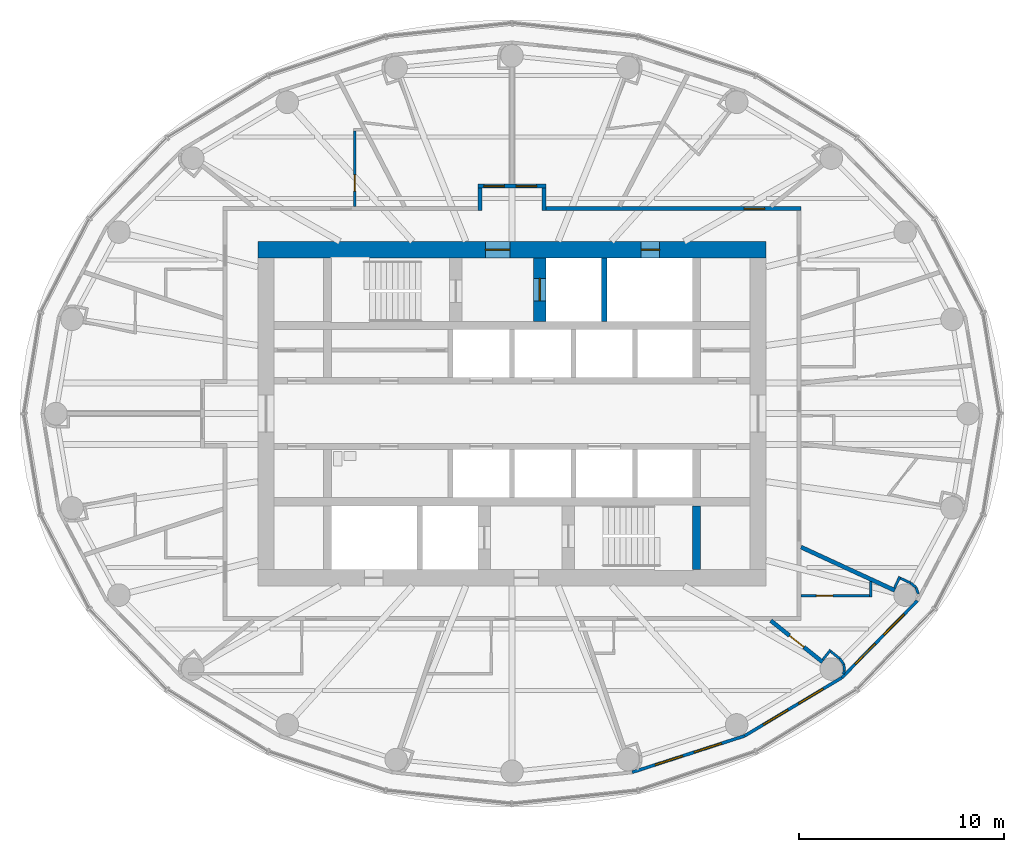
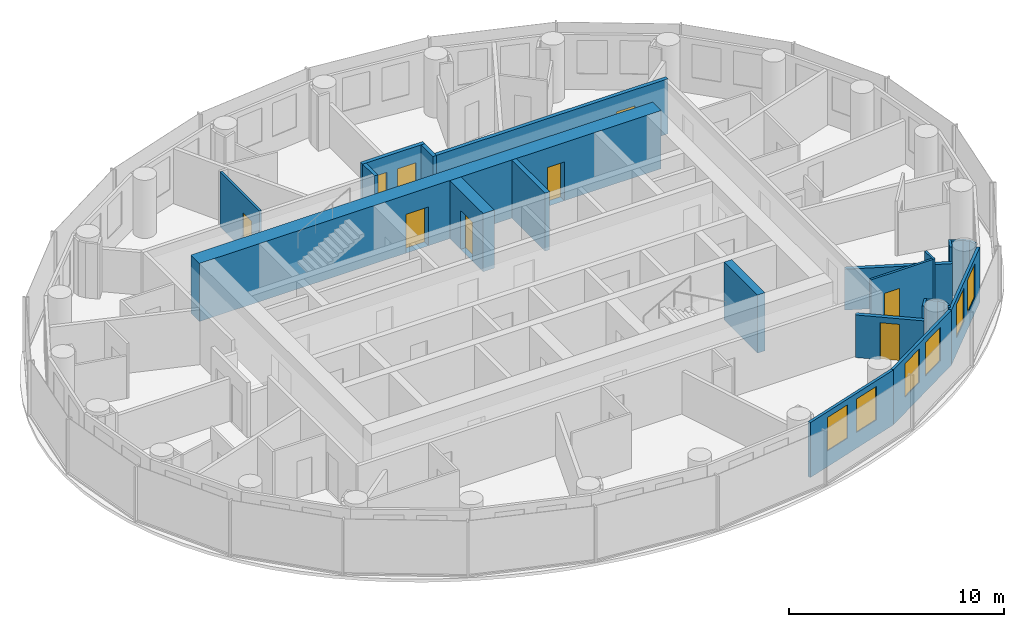
# One storey, part 10 of 16: 25 walls, 9 doors, 6 windows, 15 openings.
"""IFC4 building model written with IfcOpenShell, lengths in metres."""

from ifc_helpers import new_model, si_unit, direction, frame, frame_2d, origin, place, context, subcontext, project, spatial, rectangle, extrude, material, layer, layer_set, type_object, element, fill, save


model = new_model("IFC4")

# Units and contexts
model_context = context("Model", 3, precision=1e-05, world=origin(), true_north=direction((0.0, 1.0)))
body_context = subcontext(model_context, "Body", "Model", "MODEL_VIEW")
ifc_project = project(units=[si_unit("LENGTHUNIT", "METRE"), si_unit("AREAUNIT", "SQUARE_METRE"), si_unit("VOLUMEUNIT", "CUBIC_METRE"), si_unit("PLANEANGLEUNIT", "RADIAN"), si_unit("MASSUNIT", "GRAM", prefix="KILO")], contexts=[model_context])

# Site, building, storey
site_placement = place(None, origin())
site = spatial("IfcSite", under=ifc_project, at=site_placement, CompositionType="ELEMENT")
building_placement = place(site_placement, origin())
building = spatial("IfcBuilding", under=site, at=building_placement, Name="Hankou Lantern Tower", CompositionType="ELEMENT")
storey_placement = place(building_placement, frame((0.0, 0.0, 166.5)))
storey = spatial("IfcBuildingStorey", under=building, at=storey_placement, Name="L44", CompositionType="ELEMENT", Elevation=166.5)

# Wall, openings, doors
ifc_material_1 = material(Name="Concrete C60", Category="concrete")
ifc_layer_1 = layer(ifc_material_1, 0.800048828125)
ifc_layer_set_1 = layer_set([ifc_layer_1], Name="Concrete C60")
wall_type_1 = type_object("IfcWallType", Name="CW2 CORE WALL 800", PredefinedType="SHEAR", material=ifc_layer_set_1)
wall_1_placement = place(storey_placement, frame((-12.39990234375, 8.0, 0.0), z_axis=(0.0, 0.0, 1.0), x_axis=(1.0, 0.0, 0.0)))
wall_1 = element("IfcWall", 1, at=wall_1_placement, inside=storey, type_object=wall_type_1, Name="Core wall north L44", PredefinedType="SHEAR", context=body_context, shape_type="SweptSolid", body=[
    extrude(rectangle(XDim=24.7998046875, YDim=0.800048828125, at=frame_2d((12.39990234375, 0.0))), origin(), (0.0, 0.0, 1.0), 3.300048828125),
])
opening_1_placement = place(wall_1_placement, frame((11.10009765625, 0.0, 0.0)))
opening_1 = element("IfcOpeningElement", 2, at=opening_1_placement, cuts=wall_1, Name="Opening D5", PredefinedType="OPENING", context=body_context, shape_type="SweptSolid", body=[
    extrude(rectangle(XDim=1.199951171875, YDim=2.199951171875, at=frame_2d((0.60009765625, 1.10009765625))), frame((0.0, 0.409912109375, 0.0), z_axis=(0.0, -1.0, 0.0), x_axis=(1.0, 0.0, 0.0)), (0.0, 0.0, 1.0), 0.820068359375),
])
opening_2_placement = place(wall_1_placement, frame((18.699951171875, 0.0, 0.0)))
opening_2 = element("IfcOpeningElement", 3, at=opening_2_placement, cuts=wall_1, Name="Opening D7", PredefinedType="OPENING", context=body_context, shape_type="SweptSolid", body=[
    extrude(rectangle(XDim=0.89990234375, YDim=2.199951171875, at=frame_2d((0.449951171875, 1.10009765625))), frame((0.0, 0.409912109375, 0.0), z_axis=(0.0, -1.0, 0.0), x_axis=(1.0, 0.0, 0.0)), (0.0, 0.0, 1.0), 0.820068359375),
])
ifc_material_2 = material(Name="Steel door leaf", Category="steel")
door_type_1 = type_object("IfcDoorType", Name="D5 STAIR LOBBY DOOR 1200X2200", OperationType="SINGLE_SWING_LEFT", PredefinedType="DOOR", material=ifc_material_2)
door_1_placement = place(opening_1_placement, origin())
door_1 = element("IfcDoor", 4, at=door_1_placement, inside=storey, type_object=door_type_1, Name="Stair A lobby door", OperationType="SINGLE_SWING_LEFT", OverallHeight=2.199951171875, OverallWidth=1.199951171875, PredefinedType="DOOR", context=body_context, shape_type="SweptSolid", body=[
    extrude(rectangle(XDim=1.199951171875, YDim=2.199951171875, at=frame_2d((0.60009765625, 1.10009765625))), frame((0.0, 0.02490234375, 0.0), z_axis=(0.0, -1.0, 0.0), x_axis=(1.0, 0.0, 0.0)), (0.0, 0.0, 1.0), 0.050048828125),
])
fill(opening_1, door_1)
ifc_material_3 = material(Name="Steel door leaf", Category="steel")
door_type_2 = type_object("IfcDoorType", Name="D7 RISER DOOR 900X2200", OperationType="SINGLE_SWING_LEFT", PredefinedType="DOOR", material=ifc_material_3)
door_2_placement = place(opening_2_placement, origin())
door_2 = element("IfcDoor", 5, at=door_2_placement, inside=storey, type_object=door_type_2, Name="Riser N1 door", OperationType="SINGLE_SWING_RIGHT", OverallHeight=2.199951171875, OverallWidth=0.89990234375, PredefinedType="DOOR", context=body_context, shape_type="SweptSolid", body=[
    extrude(rectangle(XDim=0.89990234375, YDim=2.199951171875, at=frame_2d((0.449951171875, 1.10009765625))), frame((0.0, 0.02490234375, 0.0), z_axis=(0.0, -1.0, 0.0), x_axis=(1.0, 0.0, 0.0)), (0.0, 0.0, 1.0), 0.050048828125),
])
fill(opening_2, door_2)

# Wall
ifc_material_4 = material(Name="Concrete C60", Category="concrete")
ifc_layer_2 = layer(ifc_material_4, 0.39990234375)
ifc_layer_set_2 = layer_set([ifc_layer_2], Name="Concrete C60")
wall_type_2 = type_object("IfcWallType", Name="CW4 CORE CROSS WALL 400", PredefinedType="SHEAR", material=ifc_layer_set_2)
wall_2_placement = place(storey_placement, frame((9.0, -7.60009765625, 0.0), z_axis=(0.0, 0.0, 1.0), x_axis=(0.0, 1.0, 0.0)))
element("IfcWall", 6, at=wall_2_placement, inside=storey, type_object=wall_type_2, Name="Core strip wall L44", PredefinedType="SHEAR", context=body_context, shape_type="SweptSolid", body=[
    extrude(rectangle(XDim=3.10009765625, YDim=0.39990234375, at=frame_2d((1.550048828125, 0.0))), origin(), (0.0, 0.0, 1.0), 3.300048828125),
])

# Wall, opening, door
ifc_material_5 = material(Name="Concrete C60", Category="concrete")
ifc_layer_3 = layer(ifc_material_5, 0.60009765625)
ifc_layer_set_3 = layer_set([ifc_layer_3], Name="Concrete C60")
wall_type_3 = type_object("IfcWallType", Name="CW6 STAIR AND SHAFT WALL 600", PredefinedType="SHEAR", material=ifc_layer_set_3)
wall_3_placement = place(storey_placement, frame((1.35009765625, 4.5, 0.0), z_axis=(0.0, 0.0, 1.0), x_axis=(0.0, 1.0, 0.0)))
wall_3 = element("IfcWall", 7, at=wall_3_placement, inside=storey, type_object=wall_type_3, Name="Firefighting lift shaft wall L44", PredefinedType="SHEAR", context=body_context, shape_type="SweptSolid", body=[
    extrude(rectangle(XDim=3.10009765625, YDim=0.60009765625, at=frame_2d((1.550048828125, 0.0))), origin(), (0.0, 0.0, 1.0), 3.300048828125),
])
opening_3_placement = place(wall_3_placement, frame((1.0, 0.0, 0.0)))
opening_3 = element("IfcOpeningElement", 8, at=opening_3_placement, cuts=wall_3, Name="Opening LD2", PredefinedType="OPENING", context=body_context, shape_type="SweptSolid", body=[
    extrude(rectangle(XDim=1.10009765625, YDim=2.199951171875, at=frame_2d((0.550048828125, 1.10009765625))), frame((0.0, 0.31005859375, 0.0), z_axis=(0.0, -1.0, 0.0), x_axis=(1.0, 0.0, 0.0)), (0.0, 0.0, 1.0), 0.6201171875),
])
ifc_material_6 = material(Name="Steel door leaf", Category="steel")
door_type_3 = type_object("IfcDoorType", Name="LD2 FIREFIGHTING LIFT LANDING DOOR 1100X2200", OperationType="DOUBLE_DOOR_SLIDING", PredefinedType="DOOR", material=ifc_material_6)
door_3_placement = place(opening_3_placement, origin())
door_3 = element("IfcDoor", 9, at=door_3_placement, inside=storey, type_object=door_type_3, Name="Firefighting lift FL1 landing door", OperationType="DOUBLE_DOOR_SLIDING", OverallHeight=2.199951171875, OverallWidth=1.10009765625, PredefinedType="DOOR", context=body_context, shape_type="SweptSolid", body=[
    extrude(rectangle(XDim=1.10009765625, YDim=2.199951171875, at=frame_2d((0.550048828125, 1.10009765625))), frame((0.0, 0.02490234375, 0.0), z_axis=(0.0, -1.0, 0.0), x_axis=(1.0, 0.0, 0.0)), (0.0, 0.0, 1.0), 0.050048828125),
])
fill(opening_3, door_3)

# Wall, openings, windows
ifc_material_7 = material(Name="Aluminium spandrel panel on steel studs", Category="steel")
ifc_layer_4 = layer(ifc_material_7, 0.14990234375)
ifc_layer_set_4 = layer_set([ifc_layer_4], Name="Aluminium spandrel panel on steel studs")
wall_type_4 = type_object("IfcWallType", Name="EW1 INNER SKIN WALL 150", PredefinedType="ELEMENTEDWALL", material=ifc_layer_set_4)
wall_4_placement = place(storey_placement, frame((5.8603515625, -17.497314453125, 0.0), z_axis=(0.0, 0.0, 1.0), x_axis=(0.951432482129, 0.307857486429, 0.0)))
wall_4 = element("IfcWall", 10, at=wall_4_placement, inside=storey, type_object=wall_type_4, Name="Inner skin R20-R21 L44", PredefinedType="ELEMENTEDWALL", context=body_context, shape_type="SweptSolid", body=[
    extrude(rectangle(XDim=5.76611328125, YDim=0.14990234375, at=frame_2d((2.883056640625, 0.0))), origin(), (0.0, 0.0, 1.0), 3.1201171875),
])
opening_4_placement = place(wall_4_placement, frame((1.18310546875, 0.0, 0.89990234375)))
opening_4 = element("IfcOpeningElement", 11, at=opening_4_placement, cuts=wall_4, Name="Opening W3", PredefinedType="OPENING", context=body_context, shape_type="SweptSolid", body=[
    extrude(rectangle(XDim=1.39990234375, YDim=1.89990234375, at=frame_2d((0.699951171875, 0.949951171875))), frame((0.0, 0.0849609375, 0.0), z_axis=(0.0, -1.0, 0.0), x_axis=(1.0, 0.0, 0.0)), (0.0, 0.0, 1.0), 0.169921875),
])
opening_5_placement = place(wall_4_placement, frame((3.18310546875, 0.0, 0.89990234375)))
opening_5 = element("IfcOpeningElement", 12, at=opening_5_placement, cuts=wall_4, Name="Opening W3", PredefinedType="OPENING", context=body_context, shape_type="SweptSolid", body=[
    extrude(rectangle(XDim=1.39990234375, YDim=1.89990234375, at=frame_2d((0.699951171875, 0.949951171875))), frame((0.0, 0.0849609375, 0.0), z_axis=(0.0, -1.0, 0.0), x_axis=(1.0, 0.0, 0.0)), (0.0, 0.0, 1.0), 0.169921875),
])
ifc_material_8 = material(Name="Aluminium framed double glazed window", Category="aluminium")
window_type = type_object("IfcWindowType", Name="W3 GUEST ROOM WINDOW 1400X1900", PartitioningType="DOUBLE_PANEL_VERTICAL", PredefinedType="WINDOW", material=ifc_material_8)
window_1_placement = place(opening_4_placement, origin())
window_1 = element("IfcWindow", 13, at=window_1_placement, inside=storey, type_object=window_type, Name="Window R20.1 L44", OverallHeight=1.89990234375, OverallWidth=1.39990234375, PartitioningType="SINGLE_PANEL", PredefinedType="WINDOW", context=body_context, shape_type="SweptSolid", body=[
    extrude(rectangle(XDim=1.39990234375, YDim=1.89990234375, at=frame_2d((0.699951171875, 0.949951171875))), frame((0.0, 0.030029296875, 0.0), z_axis=(0.0, -1.0, 0.0), x_axis=(1.0, 0.0, 0.0)), (0.0, 0.0, 1.0), 0.06005859375),
])
fill(opening_4, window_1)
window_2_placement = place(opening_5_placement, origin())
window_2 = element("IfcWindow", 14, at=window_2_placement, inside=storey, type_object=window_type, Name="Window R20.2 L44", OverallHeight=1.89990234375, OverallWidth=1.39990234375, PartitioningType="SINGLE_PANEL", PredefinedType="WINDOW", context=body_context, shape_type="SweptSolid", body=[
    extrude(rectangle(XDim=1.39990234375, YDim=1.89990234375, at=frame_2d((0.699951171875, 0.949951171875))), frame((0.0, 0.030029296875, 0.0), z_axis=(0.0, -1.0, 0.0), x_axis=(1.0, 0.0, 0.0)), (0.0, 0.0, 1.0), 0.06005859375),
])
fill(opening_5, window_2)

wall_5_placement = place(storey_placement, frame((11.346435546875, -15.72216796875, 0.0), z_axis=(0.0, 0.0, 1.0), x_axis=(0.857695199231, 0.514158482587, 0.0)))
wall_5 = element("IfcWall", 15, at=wall_5_placement, inside=storey, type_object=wall_type_4, Name="Inner skin R21-R22 L44", PredefinedType="ELEMENTEDWALL", context=body_context, shape_type="SweptSolid", body=[
    extrude(rectangle(XDim=5.5361328125, YDim=0.14990234375, at=frame_2d((2.76806640625, 0.0))), origin(), (0.0, 0.0, 1.0), 3.1201171875),
])
opening_6_placement = place(wall_5_placement, frame((1.068115234375, 0.0, 0.89990234375)))
opening_6 = element("IfcOpeningElement", 16, at=opening_6_placement, cuts=wall_5, Name="Opening W3", PredefinedType="OPENING", context=body_context, shape_type="SweptSolid", body=[
    extrude(rectangle(XDim=1.39990234375, YDim=1.89990234375, at=frame_2d((0.699951171875, 0.949951171875))), frame((0.0, 0.0849609375, 0.0), z_axis=(0.0, -1.0, 0.0), x_axis=(1.0, 0.0, 0.0)), (0.0, 0.0, 1.0), 0.169921875),
])
opening_7_placement = place(wall_5_placement, frame((3.068115234375, 0.0, 0.89990234375)))
opening_7 = element("IfcOpeningElement", 17, at=opening_7_placement, cuts=wall_5, Name="Opening W3", PredefinedType="OPENING", context=body_context, shape_type="SweptSolid", body=[
    extrude(rectangle(XDim=1.39990234375, YDim=1.89990234375, at=frame_2d((0.699951171875, 0.949951171875))), frame((0.0, 0.0849609375, 0.0), z_axis=(0.0, -1.0, 0.0), x_axis=(1.0, 0.0, 0.0)), (0.0, 0.0, 1.0), 0.169921875),
])
window_3_placement = place(opening_6_placement, origin())
window_3 = element("IfcWindow", 18, at=window_3_placement, inside=storey, type_object=window_type, Name="Window R21.1 L44", OverallHeight=1.89990234375, OverallWidth=1.39990234375, PartitioningType="SINGLE_PANEL", PredefinedType="WINDOW", context=body_context, shape_type="SweptSolid", body=[
    extrude(rectangle(XDim=1.39990234375, YDim=1.89990234375, at=frame_2d((0.699951171875, 0.949951171875))), frame((0.0, 0.030029296875, 0.0), z_axis=(0.0, -1.0, 0.0), x_axis=(1.0, 0.0, 0.0)), (0.0, 0.0, 1.0), 0.06005859375),
])
fill(opening_6, window_3)
window_4_placement = place(opening_7_placement, origin())
window_4 = element("IfcWindow", 19, at=window_4_placement, inside=storey, type_object=window_type, Name="Window R21.2 L44", OverallHeight=1.89990234375, OverallWidth=1.39990234375, PartitioningType="SINGLE_PANEL", PredefinedType="WINDOW", context=body_context, shape_type="SweptSolid", body=[
    extrude(rectangle(XDim=1.39990234375, YDim=1.89990234375, at=frame_2d((0.699951171875, 0.949951171875))), frame((0.0, 0.030029296875, 0.0), z_axis=(0.0, -1.0, 0.0), x_axis=(1.0, 0.0, 0.0)), (0.0, 0.0, 1.0), 0.06005859375),
])
fill(opening_7, window_4)

wall_6_placement = place(storey_placement, frame((16.0947265625, -12.875732421875, 0.0), z_axis=(0.0, 0.0, 1.0), x_axis=(0.700727467776, 0.71342905457, 0.0)))
wall_6 = element("IfcWall", 20, at=wall_6_placement, inside=storey, type_object=wall_type_4, Name="Inner skin R22-R23 L44", PredefinedType="ELEMENTEDWALL", context=body_context, shape_type="SweptSolid", body=[
    extrude(rectangle(XDim=5.247314453125, YDim=0.14990234375, at=frame_2d((2.62353515625, 0.0))), origin(), (0.0, 0.0, 1.0), 3.1201171875),
])
opening_8_placement = place(wall_6_placement, frame((0.923583984375, 0.0, 0.89990234375)))
opening_8 = element("IfcOpeningElement", 21, at=opening_8_placement, cuts=wall_6, Name="Opening W3", PredefinedType="OPENING", context=body_context, shape_type="SweptSolid", body=[
    extrude(rectangle(XDim=1.39990234375, YDim=1.89990234375, at=frame_2d((0.699951171875, 0.949951171875))), frame((0.0, 0.0849609375, 0.0), z_axis=(0.0, -1.0, 0.0), x_axis=(1.0, 0.0, 0.0)), (0.0, 0.0, 1.0), 0.169921875),
])
opening_9_placement = place(wall_6_placement, frame((2.923583984375, 0.0, 0.89990234375)))
opening_9 = element("IfcOpeningElement", 22, at=opening_9_placement, cuts=wall_6, Name="Opening W3", PredefinedType="OPENING", context=body_context, shape_type="SweptSolid", body=[
    extrude(rectangle(XDim=1.39990234375, YDim=1.89990234375, at=frame_2d((0.699951171875, 0.949951171875))), frame((0.0, 0.0849609375, 0.0), z_axis=(0.0, -1.0, 0.0), x_axis=(1.0, 0.0, 0.0)), (0.0, 0.0, 1.0), 0.169921875),
])
window_5_placement = place(opening_8_placement, origin())
window_5 = element("IfcWindow", 23, at=window_5_placement, inside=storey, type_object=window_type, Name="Window R22.1 L44", OverallHeight=1.89990234375, OverallWidth=1.39990234375, PartitioningType="SINGLE_PANEL", PredefinedType="WINDOW", context=body_context, shape_type="SweptSolid", body=[
    extrude(rectangle(XDim=1.39990234375, YDim=1.89990234375, at=frame_2d((0.699951171875, 0.949951171875))), frame((0.0, 0.030029296875, 0.0), z_axis=(0.0, -1.0, 0.0), x_axis=(1.0, 0.0, 0.0)), (0.0, 0.0, 1.0), 0.06005859375),
])
fill(opening_8, window_5)
window_6_placement = place(opening_9_placement, origin())
window_6 = element("IfcWindow", 24, at=window_6_placement, inside=storey, type_object=window_type, Name="Window R22.2 L44", OverallHeight=1.89990234375, OverallWidth=1.39990234375, PartitioningType="SINGLE_PANEL", PredefinedType="WINDOW", context=body_context, shape_type="SweptSolid", body=[
    extrude(rectangle(XDim=1.39990234375, YDim=1.89990234375, at=frame_2d((0.699951171875, 0.949951171875))), frame((0.0, 0.030029296875, 0.0), z_axis=(0.0, -1.0, 0.0), x_axis=(1.0, 0.0, 0.0)), (0.0, 0.0, 1.0), 0.06005859375),
])
fill(opening_9, window_6)

# Wall
ifc_material_9 = material(Name="Masonry lightweight concrete block", Category="masonry")
ifc_layer_5 = layer(ifc_material_9, 0.199951171875)
ifc_layer_set_5 = layer_set([ifc_layer_5], Name="Masonry lightweight concrete block")
wall_type_5 = type_object("IfcWallType", Name="IW1 GUEST ROOM PARTY WALL 200", PredefinedType="PARTITIONING", material=ifc_layer_set_5)
wall_7_placement = place(storey_placement, frame((14.10009765625, -6.512451171875, 0.0), z_axis=(0.0, 0.0, 1.0), x_axis=(0.907823150669, -0.419353224751, 0.0)))
element("IfcWall", 25, at=wall_7_placement, inside=storey, type_object=wall_type_5, Name="Party wall R23", PredefinedType="PARTITIONING", context=body_context, shape_type="SweptSolid", body=[
    extrude(rectangle(XDim=5.037109375, YDim=0.199951171875, at=frame_2d((2.5185546875, 0.0))), origin(), (0.0, 0.0, 1.0), 2.320068359375),
])

# Wall, openings, doors
ifc_material_10 = material(Name="Masonry lightweight concrete block", Category="masonry")
ifc_layer_6 = layer(ifc_material_10, 0.199951171875)
ifc_layer_set_6 = layer_set([ifc_layer_6], Name="Masonry lightweight concrete block")
wall_type_6 = type_object("IfcWallType", Name="IW2 CORRIDOR WALL 200", PredefinedType="PARTITIONING", material=ifc_layer_set_6)
wall_8_placement = place(storey_placement, frame((-1.669921875, 11.10009765625, 0.0), z_axis=(0.0, 0.0, 1.0), x_axis=(1.0, 0.0, 0.0)))
wall_8 = element("IfcWall", 26, at=wall_8_placement, inside=storey, type_object=wall_type_6, Name="Corridor alcove wall 4408-4409 back", PredefinedType="PARTITIONING", context=body_context, shape_type="SweptSolid", body=[
    extrude(rectangle(XDim=3.33984375, YDim=0.199951171875, at=frame_2d((1.669921875, 0.0))), origin(), (0.0, 0.0, 1.0), 3.1201171875),
])
opening_10_placement = place(wall_8_placement, frame((1.8701171875, 0.0, 0.0)))
opening_10 = element("IfcOpeningElement", 27, at=opening_10_placement, cuts=wall_8, Name="Opening D1", PredefinedType="OPENING", context=body_context, shape_type="SweptSolid", body=[
    extrude(rectangle(XDim=1.0, YDim=2.199951171875, at=frame_2d((0.5, 1.10009765625))), frame((0.0, 0.10986328125, 0.0), z_axis=(0.0, -1.0, 0.0), x_axis=(1.0, 0.0, 0.0)), (0.0, 0.0, 1.0), 0.219970703125),
])
opening_11_placement = place(wall_8_placement, frame((0.300048828125, 0.0, 0.0)))
opening_11 = element("IfcOpeningElement", 28, at=opening_11_placement, cuts=wall_8, Name="Opening D1", PredefinedType="OPENING", context=body_context, shape_type="SweptSolid", body=[
    extrude(rectangle(XDim=1.0, YDim=2.199951171875, at=frame_2d((0.5, 1.10009765625))), frame((0.0, 0.10986328125, 0.0), z_axis=(0.0, -1.0, 0.0), x_axis=(1.0, 0.0, 0.0)), (0.0, 0.0, 1.0), 0.219970703125),
])
ifc_material_11 = material(Name="Steel door leaf", Category="steel")
door_type_4 = type_object("IfcDoorType", Name="D1 GUEST ROOM DOOR 1000X2200", OperationType="SINGLE_SWING_LEFT", PredefinedType="DOOR", material=ifc_material_11)
door_4_placement = place(opening_10_placement, origin())
door_4 = element("IfcDoor", 29, at=door_4_placement, inside=storey, type_object=door_type_4, Name="Guest room door 4408", OperationType="SINGLE_SWING_LEFT", OverallHeight=2.199951171875, OverallWidth=1.0, PredefinedType="DOOR", context=body_context, shape_type="SweptSolid", body=[
    extrude(rectangle(XDim=1.0, YDim=2.199951171875, at=frame_2d((0.5, 1.10009765625))), frame((0.0, 0.02490234375, 0.0), z_axis=(0.0, -1.0, 0.0), x_axis=(1.0, 0.0, 0.0)), (0.0, 0.0, 1.0), 0.050048828125),
])
fill(opening_10, door_4)
door_5_placement = place(opening_11_placement, origin())
door_5 = element("IfcDoor", 30, at=door_5_placement, inside=storey, type_object=door_type_4, Name="Guest room door 4409", OperationType="SINGLE_SWING_RIGHT", OverallHeight=2.199951171875, OverallWidth=1.0, PredefinedType="DOOR", context=body_context, shape_type="SweptSolid", body=[
    extrude(rectangle(XDim=1.0, YDim=2.199951171875, at=frame_2d((0.5, 1.10009765625))), frame((0.0, 0.02490234375, 0.0), z_axis=(0.0, -1.0, 0.0), x_axis=(1.0, 0.0, 0.0)), (0.0, 0.0, 1.0), 0.050048828125),
])
fill(opening_11, door_5)

# Walls
for number, where, z_axis, x_axis, name in (
    (31, (-1.570068359375, 9.89990234375, 0.0), (0.0, 0.0, 1.0), (0.0, 1.0, 0.0), "Corridor alcove wall 4408-4409 left"),
    (32, (1.570068359375, 9.89990234375, 0.0), (0.0, 0.0, 1.0), (0.0, 1.0, 0.0), "Corridor alcove wall 4408-4409 right"),
):
    element("IfcWall", number, at=place(storey_placement, frame(where, z_axis=z_axis, x_axis=x_axis)), inside=storey, type_object=wall_type_6, Name=name, PredefinedType="PARTITIONING", context=body_context, shape_type="SweptSolid", body=[
        extrude(rectangle(XDim=1.10009765625, YDim=0.199951171875, at=frame_2d((0.550048828125, 0.0))), origin(), (0.0, 0.0, 1.0), 3.1201171875),
    ])

# Wall, opening, door
wall_9_placement = place(storey_placement, frame((1.669921875, 10.0, 0.0), z_axis=(0.0, 0.0, 1.0), x_axis=(1.0, 0.0, 0.0)))
wall_9 = element("IfcWall", 33, at=wall_9_placement, inside=storey, type_object=wall_type_6, Name="Corridor wall north", PredefinedType="PARTITIONING", context=body_context, shape_type="SweptSolid", body=[
    extrude(rectangle(XDim=12.43017578125, YDim=0.199951171875, at=frame_2d((6.215087890625, 0.0))), origin(), (0.0, 0.0, 1.0), 3.1201171875),
])
opening_12_placement = place(wall_9_placement, frame((9.655029296875, 0.0, 0.0)))
opening_12 = element("IfcOpeningElement", 34, at=opening_12_placement, cuts=wall_9, Name="Opening D1", PredefinedType="OPENING", context=body_context, shape_type="SweptSolid", body=[
    extrude(rectangle(XDim=1.0, YDim=2.199951171875, at=frame_2d((0.5, 1.10009765625))), frame((0.0, 0.10986328125, 0.0), z_axis=(0.0, -1.0, 0.0), x_axis=(1.0, 0.0, 0.0)), (0.0, 0.0, 1.0), 0.219970703125),
])
door_6_placement = place(opening_12_placement, origin())
door_6 = element("IfcDoor", 35, at=door_6_placement, inside=storey, type_object=door_type_4, Name="Guest room door 4407", OperationType="SINGLE_SWING_LEFT", OverallHeight=2.199951171875, OverallWidth=1.0, PredefinedType="DOOR", context=body_context, shape_type="SweptSolid", body=[
    extrude(rectangle(XDim=1.0, YDim=2.199951171875, at=frame_2d((0.5, 1.10009765625))), frame((0.0, 0.02490234375, 0.0), z_axis=(0.0, -1.0, 0.0), x_axis=(1.0, 0.0, 0.0)), (0.0, 0.0, 1.0), 0.050048828125),
])
fill(opening_12, door_6)

# Wall
ifc_material_12 = material(Name="Masonry lightweight concrete block", Category="masonry")
ifc_layer_7 = layer(ifc_material_12, 0.1201171875)
ifc_layer_set_7 = layer_set([ifc_layer_7], Name="Masonry lightweight concrete block")
wall_type_7 = type_object("IfcWallType", Name="IW3 BATHROOM WALL 120", PredefinedType="PARTITIONING", material=ifc_layer_set_7)
wall_10_placement = place(storey_placement, frame((17.5, -8.182861328125, 0.0), z_axis=(0.0, 0.0, 1.0), x_axis=(0.0, -1.0, 0.0)))
element("IfcWall", 36, at=wall_10_placement, inside=storey, type_object=wall_type_7, Name="Box wall 4403A 1", PredefinedType="PARTITIONING", context=body_context, shape_type="SweptSolid", body=[
    extrude(rectangle(XDim=0.76953125, YDim=0.1201171875, at=frame_2d((0.384765625, 0.0))), origin(), (0.0, 0.0, 1.0), 3.1201171875),
])

# Wall, opening, door
wall_11_placement = place(storey_placement, frame((14.10009765625, -8.892578125, 0.0), z_axis=(0.0, 0.0, 1.0), x_axis=(1.0, 0.0, 0.0)))
wall_11 = element("IfcWall", 37, at=wall_11_placement, inside=storey, type_object=wall_type_7, Name="Box wall 4403A 1", PredefinedType="PARTITIONING", context=body_context, shape_type="SweptSolid", body=[
    extrude(rectangle(XDim=3.33984375, YDim=0.1201171875, at=frame_2d((1.669921875, 0.0))), origin(), (0.0, 0.0, 1.0), 3.1201171875),
])
opening_13_placement = place(wall_11_placement, frame((0.75, 0.0, 0.0)))
opening_13 = element("IfcOpeningElement", 38, at=opening_13_placement, cuts=wall_11, Name="Opening D3", PredefinedType="OPENING", context=body_context, shape_type="SweptSolid", body=[
    extrude(rectangle(XDim=0.800048828125, YDim=2.10009765625, at=frame_2d((0.39990234375, 1.050048828125))), frame((0.0, 0.070068359375, 0.0), z_axis=(0.0, -1.0, 0.0), x_axis=(1.0, 0.0, 0.0)), (0.0, 0.0, 1.0), 0.14013671875),
])
ifc_material_13 = material(Name="Timber door leaf", Category="wood")
door_type_5 = type_object("IfcDoorType", Name="D3 BATHROOM DOOR 800X2100", OperationType="SINGLE_SWING_LEFT", PredefinedType="DOOR", material=ifc_material_13)
door_7_placement = place(opening_13_placement, origin())
door_7 = element("IfcDoor", 39, at=door_7_placement, inside=storey, type_object=door_type_5, Name="Corner suite 4403 bathroom door", OperationType="SINGLE_SWING_LEFT", OverallHeight=2.10009765625, OverallWidth=0.800048828125, PredefinedType="DOOR", context=body_context, shape_type="SweptSolid", body=[
    extrude(rectangle(XDim=0.800048828125, YDim=2.10009765625, at=frame_2d((0.39990234375, 1.050048828125))), frame((0.0, 0.02490234375, 0.0), z_axis=(0.0, -1.0, 0.0), x_axis=(1.0, 0.0, 0.0)), (0.0, 0.0, 1.0), 0.050048828125),
])
fill(opening_13, door_7)

wall_12_placement = place(storey_placement, frame((-7.670166015625, 10.10009765625, 0.0), z_axis=(0.0, 0.0, 1.0), x_axis=(0.0, 1.0, 0.0)))
wall_12 = element("IfcWall", 40, at=wall_12_placement, inside=storey, type_object=wall_type_7, Name="Box wall 4410 1", PredefinedType="PARTITIONING", context=body_context, shape_type="SweptSolid", body=[
    extrude(rectangle(XDim=3.68994140625, YDim=0.1201171875, at=frame_2d((1.844970703125, 0.0))), origin(), (0.0, 0.0, 1.0), 3.1201171875),
])
opening_14_placement = place(wall_12_placement, frame((0.75, 0.0, 0.0)))
opening_14 = element("IfcOpeningElement", 41, at=opening_14_placement, cuts=wall_12, Name="Opening D3", PredefinedType="OPENING", context=body_context, shape_type="SweptSolid", body=[
    extrude(rectangle(XDim=0.800048828125, YDim=2.10009765625, at=frame_2d((0.39990234375, 1.050048828125))), frame((0.0, 0.070068359375, 0.0), z_axis=(0.0, -1.0, 0.0), x_axis=(1.0, 0.0, 0.0)), (0.0, 0.0, 1.0), 0.14013671875),
])
door_8_placement = place(opening_14_placement, origin())
door_8 = element("IfcDoor", 42, at=door_8_placement, inside=storey, type_object=door_type_5, Name="En-suite bathroom 4410 door", OperationType="SINGLE_SWING_LEFT", OverallHeight=2.10009765625, OverallWidth=0.800048828125, PredefinedType="DOOR", context=body_context, shape_type="SweptSolid", body=[
    extrude(rectangle(XDim=0.800048828125, YDim=2.10009765625, at=frame_2d((0.39990234375, 1.050048828125))), frame((0.0, 0.02490234375, 0.0), z_axis=(0.0, -1.0, 0.0), x_axis=(1.0, 0.0, 0.0)), (0.0, 0.0, 1.0), 0.050048828125),
])
fill(opening_14, door_8)

# Walls
ifc_material_14 = material(Name="Masonry lightweight concrete block", Category="masonry")
ifc_layer_8 = layer(ifc_material_14, 0.1201171875)
ifc_layer_set_8 = layer_set([ifc_layer_8], Name="Masonry lightweight concrete block")
wall_type_8 = type_object("IfcWallType", Name="IW4 PARTITION 120", PredefinedType="PARTITIONING", material=ifc_layer_set_8)
wall_13_placement = place(storey_placement, frame((15.162353515625, -12.001708984375, 0.0), z_axis=(0.0, 0.0, 1.0), x_axis=(0.624597762427, 0.780946627607, 0.0)))
element("IfcWall", 43, at=wall_13_placement, inside=storey, type_object=wall_type_8, Name="Column casing R22 return", PredefinedType="PARTITIONING", context=body_context, shape_type="SweptSolid", body=[
    extrude(rectangle(XDim=0.612060546875, YDim=0.1201171875, at=frame_2d((0.30615234375, 0.0))), origin(), (0.0, 0.0, 1.0), 3.1201171875),
])
wall_14_placement = place(storey_placement, frame((15.55419921875, -11.60791015625, 0.0), z_axis=(0.0, 0.0, 1.0), x_axis=(0.780695577787, -0.624911525597, 0.0)))
element("IfcWall", 44, at=wall_14_placement, inside=storey, type_object=wall_type_8, Name="Column casing R22", PredefinedType="PARTITIONING", context=body_context, shape_type="SweptSolid", body=[
    extrude(rectangle(XDim=0.550048828125, YDim=0.1201171875, at=frame_2d((0.27490234375, 0.0))), origin(), (0.0, 0.0, 1.0), 3.1201171875),
])
wall_15_placement = place(storey_placement, frame((15.983642578125, -11.95166015625, 0.0), z_axis=(0.0, 0.0, 1.0), x_axis=(0.592335221171, -0.805691619517, 0.0)))
element("IfcWall", 45, at=wall_15_placement, inside=storey, type_object=wall_type_8, Name="Column casing R22", PredefinedType="PARTITIONING", context=body_context, shape_type="SweptSolid", body=[
    extrude(rectangle(XDim=0.337646484375, YDim=0.1201171875, at=frame_2d((0.1689453125, 0.0))), origin(), (0.0, 0.0, 1.0), 3.1201171875),
])
wall_16_placement = place(storey_placement, frame((16.18359375, -12.2236328125, 0.0), z_axis=(0.0, 0.0, 1.0), x_axis=(0.110669692975, -0.993857242795, 0.0)))
element("IfcWall", 46, at=wall_16_placement, inside=storey, type_object=wall_type_8, Name="Column casing R22", PredefinedType="PARTITIONING", context=body_context, shape_type="SweptSolid", body=[
    extrude(rectangle(XDim=0.33740234375, YDim=0.1201171875, at=frame_2d((0.168701171875, 0.0))), origin(), (0.0, 0.0, 1.0), 3.1201171875),
])
wall_17_placement = place(storey_placement, frame((16.220947265625, -12.55908203125, 0.0), z_axis=(0.0, 0.0, 1.0), x_axis=(-0.401064416249, -0.916049853457, 0.0)))
element("IfcWall", 47, at=wall_17_placement, inside=storey, type_object=wall_type_8, Name="Column casing R22", PredefinedType="PARTITIONING", context=body_context, shape_type="SweptSolid", body=[
    extrude(rectangle(XDim=0.156494140625, YDim=0.1201171875, at=frame_2d((0.078125, 0.0))), origin(), (0.0, 0.0, 1.0), 3.1201171875),
])
wall_18_placement = place(storey_placement, frame((18.660400390625, -8.5087890625, 0.0), z_axis=(0.0, 0.0, 1.0), x_axis=(0.419083463716, 0.907947713494, 0.0)))
element("IfcWall", 48, at=wall_18_placement, inside=storey, type_object=wall_type_8, Name="Column casing R23 return", PredefinedType="PARTITIONING", context=body_context, shape_type="SweptSolid", body=[
    extrude(rectangle(XDim=0.6123046875, YDim=0.1201171875, at=frame_2d((0.30615234375, 0.0))), origin(), (0.0, 0.0, 1.0), 3.1201171875),
])
wall_19_placement = place(storey_placement, frame((18.9462890625, -8.032470703125, 0.0), z_axis=(0.0, 0.0, 1.0), x_axis=(0.907842467956, -0.419311403822, 0.0)))
element("IfcWall", 49, at=wall_19_placement, inside=storey, type_object=wall_type_8, Name="Column casing R23", PredefinedType="PARTITIONING", context=body_context, shape_type="SweptSolid", body=[
    extrude(rectangle(XDim=0.55029296875, YDim=0.1201171875, at=frame_2d((0.275146484375, 0.0))), origin(), (0.0, 0.0, 1.0), 3.1201171875),
])
wall_20_placement = place(storey_placement, frame((19.44580078125, -8.26318359375, 0.0), z_axis=(0.0, 0.0, 1.0), x_axis=(0.768221279597, -0.640184399664, 0.0)))
element("IfcWall", 50, at=wall_20_placement, inside=storey, type_object=wall_type_8, Name="Column casing R23", PredefinedType="PARTITIONING", context=body_context, shape_type="SweptSolid", body=[
    extrude(rectangle(XDim=0.33740234375, YDim=0.1201171875, at=frame_2d((0.168701171875, 0.0))), origin(), (0.0, 0.0, 1.0), 3.1201171875),
])
wall_21_placement = place(storey_placement, frame((19.705078125, -8.479248046875, 0.0), z_axis=(0.0, 0.0, 1.0), x_axis=(0.345571344575, -0.938392479621, 0.0)))
element("IfcWall", 51, at=wall_21_placement, inside=storey, type_object=wall_type_8, Name="Column casing R23", PredefinedType="PARTITIONING", context=body_context, shape_type="SweptSolid", body=[
    extrude(rectangle(XDim=0.337646484375, YDim=0.1201171875, at=frame_2d((0.1689453125, 0.0))), origin(), (0.0, 0.0, 1.0), 3.1201171875),
])

# Wall, opening, door
ifc_material_15 = material(Name="Masonry lightweight concrete block", Category="masonry")
ifc_layer_9 = layer(ifc_material_15, 0.199951171875)
ifc_layer_set_9 = layer_set([ifc_layer_9], Name="Masonry lightweight concrete block")
wall_type_9 = type_object("IfcWallType", Name="IW6 SUITE PARTITION 200", PredefinedType="PARTITIONING", material=ifc_layer_set_9)
wall_22_placement = place(storey_placement, frame((12.625, -10.10009765625, 0.0), z_axis=(0.0, 0.0, 1.0), x_axis=(0.780876185034, -0.624685827954, 0.0)))
wall_22 = element("IfcWall", 52, at=wall_22_placement, inside=storey, type_object=wall_type_9, Name="Suite partition R22", PredefinedType="PARTITIONING", context=body_context, shape_type="SweptSolid", body=[
    extrude(rectangle(XDim=3.229248046875, YDim=0.199951171875, at=frame_2d((1.61474609375, 0.0))), origin(), (0.0, 0.0, 1.0), 2.419921875),
])
opening_15_placement = place(wall_22_placement, frame((1.169921875, 0.0, 0.0)))
opening_15 = element("IfcOpeningElement", 53, at=opening_15_placement, cuts=wall_22, Name="Opening D27", PredefinedType="OPENING", context=body_context, shape_type="SweptSolid", body=[
    extrude(rectangle(XDim=0.89990234375, YDim=2.10009765625, at=frame_2d((0.449951171875, 1.050048828125))), frame((0.0, 0.10986328125, 0.0), z_axis=(0.0, -1.0, 0.0), x_axis=(1.0, 0.0, 0.0)), (0.0, 0.0, 1.0), 0.219970703125),
])
ifc_material_16 = material(Name="Timber door leaf", Category="wood")
door_type_6 = type_object("IfcDoorType", Name="D27 INTERNAL DOOR 900X2100", OperationType="SINGLE_SWING_LEFT", PredefinedType="DOOR", material=ifc_material_16)
door_9_placement = place(opening_15_placement, origin())
door_9 = element("IfcDoor", 54, at=door_9_placement, inside=storey, type_object=door_type_6, Name="Corner suite 4403 bedroom door", OperationType="SINGLE_SWING_LEFT", OverallHeight=2.10009765625, OverallWidth=0.89990234375, PredefinedType="DOOR", context=body_context, shape_type="SweptSolid", body=[
    extrude(rectangle(XDim=0.89990234375, YDim=2.10009765625, at=frame_2d((0.449951171875, 1.050048828125))), frame((0.0, 0.02490234375, 0.0), z_axis=(0.0, -1.0, 0.0), x_axis=(1.0, 0.0, 0.0)), (0.0, 0.0, 1.0), 0.050048828125),
])
fill(opening_15, door_9)

# Wall
ifc_material_17 = material(Name="Masonry autoclaved aerated concrete block", Category="masonry")
ifc_layer_10 = layer(ifc_material_17, 0.25)
ifc_layer_set_10 = layer_set([ifc_layer_10], Name="Masonry autoclaved aerated concrete block")
wall_type_10 = type_object("IfcWallType", Name="SW1 SHAFT BLOCK WALL 250", PredefinedType="PARTITIONING", material=ifc_layer_set_10)
wall_23_placement = place(storey_placement, frame((4.5, 4.5, 0.0), z_axis=(0.0, 0.0, 1.0), x_axis=(0.0, 1.0, 0.0)))
element("IfcWall", 55, at=wall_23_placement, inside=storey, type_object=wall_type_10, Name="Riser wall L44", PredefinedType="PARTITIONING", context=body_context, shape_type="SweptSolid", body=[
    extrude(rectangle(XDim=3.10009765625, YDim=0.25, at=frame_2d((1.550048828125, 0.0))), origin(), (0.0, 0.0, 1.0), 3.300048828125),
])

save(model, "model.ifc")
